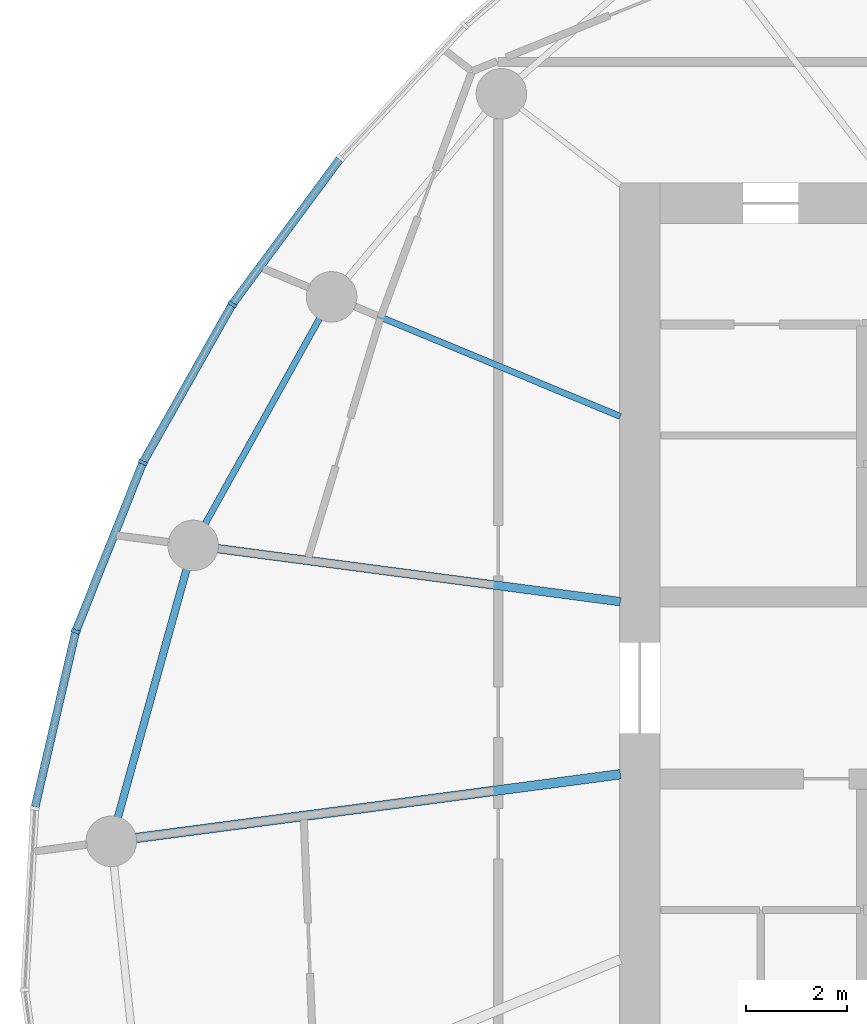
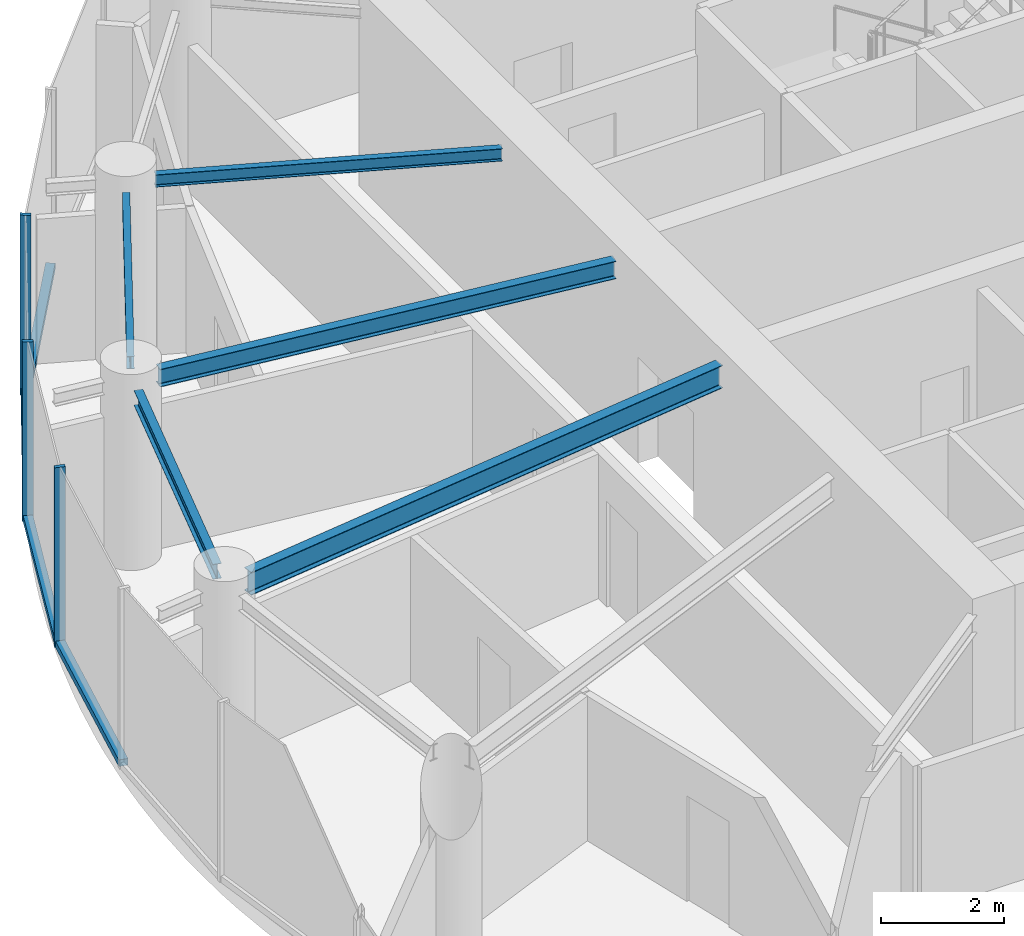
# One storey, part 3 of 19: 7 members, 5 beams, 1 element without a shape of its own.
"""IFC4 building model written with IfcOpenShell, lengths in metres."""

from ifc_helpers import new_model, si_unit, direction, frame, origin, origin_2d, place, context, subcontext, project, spatial, rectangle, i_section, extrude, source, transform, mapped, material, layer, layer_set, material_profile, profile_set, type_object, element, aggregate, save


model = new_model("IFC4")

# Units and contexts
model_context = context("Model", 3, precision=1e-05, world=origin(), true_north=direction((0.0, 1.0)))
body_context = subcontext(model_context, "Body", "Model", "MODEL_VIEW")
ifc_project = project(units=[si_unit("LENGTHUNIT", "METRE"), si_unit("AREAUNIT", "SQUARE_METRE"), si_unit("VOLUMEUNIT", "CUBIC_METRE"), si_unit("PLANEANGLEUNIT", "RADIAN"), si_unit("MASSUNIT", "GRAM", prefix="KILO")], contexts=[model_context])

# Site, building, storey
site_placement = place(None, origin())
site = spatial("IfcSite", under=ifc_project, at=site_placement, CompositionType="ELEMENT")
building_placement = place(site_placement, origin())
building = spatial("IfcBuilding", under=site, at=building_placement, Name="Spindrift Exchange Tower", CompositionType="ELEMENT")
storey_placement = place(building_placement, frame((0.0, 0.0, 137.0)))
storey = spatial("IfcBuildingStorey", under=building, at=storey_placement, Name="L32", CompositionType="ELEMENT", Elevation=137.0)

# Beams
ifc_material_1 = material(Name="Steel Grade 300", Category="steel")
ifc_material_profile_1 = material_profile(ifc_material_1, i_section(OverallWidth=0.18994140625, OverallDepth=0.4541015625, WebThickness=0.008544921875, FlangeThickness=0.0126953125, FilletRadius=0.013916015625, at=origin_2d()), Name="460UB67.1")
ifc_profile_set_1 = profile_set([ifc_material_profile_1], Name="Steel Grade 300")
beam_type_1 = type_object("IfcBeamType", Name="Floor Beam 460UB67.1 Steel Grade 300", PredefinedType="BEAM", material=ifc_profile_set_1)
shared_shape_1 = source(origin(), body_context, "Body", "SweptSolid", [
    extrude(i_section(OverallWidth=0.18994140625, OverallDepth=0.4541015625, WebThickness=0.008544921875, FlangeThickness=0.0126953125, FilletRadius=0.013916015625, at=origin_2d()), origin(), (0.0, 0.0, 1.0), 9.688720703125),
])
beam_1_placement = place(storey_placement, frame((39.019775390625, 46.291015625, 3.35302734375), z_axis=(-0.991448119245, -0.130501443846, 0.0), x_axis=(0.130501443846, -0.991448119245, 0.0)))
element("IfcBeam", 1, at=beam_1_placement, inside=storey, type_object=beam_type_1, Name="L32 radial beam R13A", PredefinedType="BEAM", context=body_context, shape_type="MappedRepresentation", body=[
    mapped(shared_shape_1, transform((0.0, 0.0, 0.0), scale=1.0)),
])
ifc_material_profile_2 = material_profile(ifc_material_1, i_section(OverallWidth=0.1240234375, OverallDepth=0.248046875, WebThickness=0.0048828125, FlangeThickness=0.008056640625, FilletRadius=0.011962890625, at=origin_2d()), Name="250UB25.7")
ifc_profile_set_2 = profile_set([ifc_material_profile_2], Name="Steel Grade 300")
beam_type_2 = type_object("IfcBeamType", Name="Floor Beam 250UB25.7 Steel Grade 300", PredefinedType="BEAM", material=ifc_profile_set_2)
shared_shape_2 = source(origin(), body_context, "Body", "SweptSolid", [
    extrude(i_section(OverallWidth=0.1240234375, OverallDepth=0.248046875, WebThickness=0.0048828125, FlangeThickness=0.008056640625, FilletRadius=0.011962890625, at=origin_2d()), origin(), (0.0, 0.0, 1.0), 5.708984375),
])
beam_2_placement = place(storey_placement, frame((39.0185546875, 53.377197265625, 3.4560546875), z_axis=(-0.923889659334, 0.382658983138, 0.0), x_axis=(-0.382658983138, -0.923889659334, 0.0)))
element("IfcBeam", 2, at=beam_2_placement, inside=storey, type_object=beam_type_2, Name="L32 radial beam R11A", PredefinedType="BEAM", context=body_context, shape_type="MappedRepresentation", body=[
    mapped(shared_shape_2, transform((0.0, 0.0, 0.0), scale=1.0)),
])
ifc_material_profile_3 = material_profile(ifc_material_1, i_section(OverallWidth=0.1708984375, OverallDepth=0.35205078125, WebThickness=0.0068359375, FlangeThickness=0.009765625, FilletRadius=0.013916015625, at=origin_2d()), Name="360UB44.7")
ifc_profile_set_3 = profile_set([ifc_material_profile_3], Name="Steel Grade 300")
beam_type_3 = type_object("IfcBeamType", Name="Floor Beam 360UB44.7 Steel Grade 300", PredefinedType="BEAM", material=ifc_profile_set_3)
shared_shape_3 = source(origin(), body_context, "Body", "SweptSolid", [
    extrude(i_section(OverallWidth=0.1708984375, OverallDepth=0.35205078125, WebThickness=0.0068359375, FlangeThickness=0.009765625, FilletRadius=0.013916015625, at=origin_2d()), origin(), (0.0, 0.0, 1.0), 8.0537109375),
])
beam_3_placement = place(storey_placement, frame((39.019775390625, 49.708984375, 3.404052734375), z_axis=(-0.991448103694, 0.130501561989, 0.0), x_axis=(-0.130501561989, -0.991448103694, 0.0)))
element("IfcBeam", 3, at=beam_3_placement, inside=storey, type_object=beam_type_3, Name="L32 radial beam R12A", PredefinedType="BEAM", context=body_context, shape_type="MappedRepresentation", body=[
    mapped(shared_shape_3, transform((0.0, 0.0, 0.0), scale=1.0)),
])
ifc_material_profile_4 = material_profile(ifc_material_1, i_section(OverallWidth=0.1240234375, OverallDepth=0.248046875, WebThickness=0.0048828125, FlangeThickness=0.008056640625, FilletRadius=0.011962890625, at=origin_2d()), Name="250UB25.7")
ifc_profile_set_4 = profile_set([ifc_material_profile_4], Name="Steel Grade 300")
beam_type_4 = type_object("IfcBeamType", Name="Edge Beam 250UB25.7 Steel Grade 300", PredefinedType="SPANDREL", material=ifc_profile_set_4)
shared_shape_4 = source(origin(), body_context, "Body", "SweptSolid", [
    extrude(i_section(OverallWidth=0.1240234375, OverallDepth=0.248046875, WebThickness=0.0048828125, FlangeThickness=0.008056640625, FilletRadius=0.011962890625, at=origin_2d()), origin(), (0.0, 0.0, 1.0), 4.6748046875),
])
beam_4_placement = place(storey_placement, frame((33.067138671875, 55.326171875, 3.4560546875), z_axis=(-0.486587145143, -0.873632045075, 0.0), x_axis=(0.873632045075, -0.486587145143, 0.0)))
element("IfcBeam", 4, at=beam_4_placement, inside=storey, type_object=beam_type_4, Name="L32 edge beam E11", PredefinedType="SPANDREL", context=body_context, shape_type="MappedRepresentation", body=[
    mapped(shared_shape_4, transform((0.0, 0.0, 0.0), scale=1.0)),
])
ifc_material_profile_5 = material_profile(ifc_material_1, i_section(OverallWidth=0.14892578125, OverallDepth=0.298095703125, WebThickness=0.005615234375, FlangeThickness=0.008056640625, FilletRadius=0.012939453125, at=origin_2d()), Name="310UB32.0")
ifc_profile_set_5 = profile_set([ifc_material_profile_5], Name="Steel Grade 300")
beam_type_5 = type_object("IfcBeamType", Name="Edge Beam 310UB32.0 Steel Grade 300", PredefinedType="SPANDREL", material=ifc_profile_set_5)
shared_shape_5 = source(origin(), body_context, "Body", "SweptSolid", [
    extrude(i_section(OverallWidth=0.14892578125, OverallDepth=0.298095703125, WebThickness=0.005615234375, FlangeThickness=0.008056640625, FilletRadius=0.012939453125, at=origin_2d()), origin(), (0.0, 0.0, 1.0), 5.118896484375),
])
beam_5_placement = place(storey_placement, frame((30.430908203125, 50.360107421875, 3.430908203125), z_axis=(-0.266654866605, -0.963792084485, 0.0), x_axis=(0.963792084485, -0.266654866605, 0.0)))
element("IfcBeam", 5, at=beam_5_placement, inside=storey, type_object=beam_type_5, Name="L32 edge beam E12", PredefinedType="SPANDREL", context=body_context, shape_type="MappedRepresentation", body=[
    mapped(shared_shape_5, transform((0.0, 0.0, 0.0), scale=1.0)),
])

# Curtain wall, members
ifc_material_2 = material(Name="Fritted laminated glass with bronze frame", Category="glass")
ifc_layer = layer(ifc_material_2, 0.179931640625)
ifc_layer_set = layer_set([ifc_layer], Name="ZONE 3 BRONZE FRITTED WALL")
curtain_wall_type = type_object("IfcCurtainWallType", Name="ZONE 3 BRONZE FRITTED WALL", PredefinedType="NOTDEFINED", material=ifc_layer_set)
curtain_wall_placement = place(storey_placement, origin())
curtain_wall = element("IfcCurtainWall", 6, at=curtain_wall_placement, inside=storey, type_object=curtain_wall_type, Name="L32 Zone 3 Bronze Fritted Wall run 2", PredefinedType="NOTDEFINED")
ifc_material_3 = material(Name="Bronze anodised aluminium", Category="aluminium")
ifc_material_profile_6 = material_profile(ifc_material_3, rectangle(XDim=0.159912109375, YDim=0.1298828125, at=origin_2d()), Name="ZONE 3 BRONZE FRITTED WALL TRANSOM 160X130")
ifc_profile_set_6 = profile_set([ifc_material_profile_6], Name="Bronze anodised aluminium")
member_type_1 = type_object("IfcMemberType", Name="ZONE 3 BRONZE FRITTED WALL TRANSOM 160X130", PredefinedType="USERDEFINED", material=ifc_profile_set_6)
shared_shape_6 = source(origin(), body_context, "Body", "SweptSolid", [
    extrude(rectangle(XDim=0.159912109375, YDim=0.1298828125, at=origin_2d()), origin(), (0.0, 0.0, 1.0), 3.52880859375),
])
member_1_placement = place(storey_placement, frame((28.22509765625, 49.085205078125, 0.06494140625), z_axis=(-0.225339507376, -0.974280301769, 0.0), x_axis=(0.974280301769, -0.225339507376, 0.0)))
member_1 = element("IfcMember", 7, at=member_1_placement, type_object=member_type_1, Name="L32 transom CW-3.10", ObjectType="TRANSOM", PredefinedType="USERDEFINED", context=body_context, shape_type="MappedRepresentation", body=[
    mapped(shared_shape_6, transform((0.0, 0.0, 0.0), scale=1.0)),
])
shared_shape_7 = source(origin(), body_context, "Body", "SweptSolid", [
    extrude(rectangle(XDim=0.159912109375, YDim=0.1298828125, at=origin_2d()), origin(), (0.0, 0.0, 1.0), 3.530517578125),
])
member_2_placement = place(storey_placement, frame((33.45458984375, 58.46484375, 0.06494140625), z_axis=(-0.594853729517, -0.803833963253, 0.0), x_axis=(0.803833963253, -0.594853729517, 0.0)))
member_2 = element("IfcMember", 8, at=member_2_placement, type_object=member_type_1, Name="L32 transom CW-3.7", ObjectType="TRANSOM", PredefinedType="USERDEFINED", context=body_context, shape_type="MappedRepresentation", body=[
    mapped(shared_shape_7, transform((0.0, 0.0, 0.0), scale=1.0)),
])
ifc_material_profile_7 = material_profile(ifc_material_3, rectangle(XDim=0.070068359375, YDim=0.179931640625, at=origin_2d()), Name="ZONE 3 BRONZE FRITTED WALL MULLION 70X180")
ifc_profile_set_7 = profile_set([ifc_material_profile_7], Name="Bronze anodised aluminium")
member_type_2 = type_object("IfcMemberType", Name="ZONE 3 BRONZE FRITTED WALL MULLION 70X180", PredefinedType="MULLION", material=ifc_profile_set_7)
shared_shape_8 = source(origin(), body_context, "Body", "SweptSolid", [
    extrude(rectangle(XDim=0.070068359375, YDim=0.179931640625, at=origin_2d()), origin(), (0.0, 0.0, 1.0), 3.580078125),
])
member_3_placement = place(storey_placement, frame((31.33349609375, 55.598876953125, 0.0), z_axis=(0.0, 0.0, 1.0), x_axis=(-0.544286584562, -0.838899346683, 0.0)))
member_3 = element("IfcMember", 9, at=member_3_placement, type_object=member_type_2, Name="L32 mullion CW-3.8", PredefinedType="MULLION", context=body_context, shape_type="MappedRepresentation", body=[
    mapped(shared_shape_8, transform((0.0, 0.0, 0.0), scale=1.0)),
])
member_4_placement = place(storey_placement, frame((29.563720703125, 52.4638671875, 0.0), z_axis=(0.0, 0.0, 1.0), x_axis=(-0.431661047584, -0.902035886203, 0.0)))
member_4 = element("IfcMember", 10, at=member_4_placement, type_object=member_type_2, Name="L32 mullion CW-3.9", PredefinedType="MULLION", context=body_context, shape_type="MappedRepresentation", body=[
    mapped(shared_shape_8, transform((0.0, 0.0, 0.0), scale=1.0)),
])
member_5_placement = place(storey_placement, frame((28.23291015625, 49.119384765625, 0.0), z_axis=(0.0, 0.0, 1.0), x_axis=(-0.298363372081, -0.954452355123, 0.0)))
member_5 = element("IfcMember", 11, at=member_5_placement, type_object=member_type_2, Name="L32 mullion CW-3.10", PredefinedType="MULLION", context=body_context, shape_type="MappedRepresentation", body=[
    mapped(shared_shape_8, transform((0.0, 0.0, 0.0), scale=1.0)),
])
shared_shape_9 = source(origin(), body_context, "Body", "SweptSolid", [
    extrude(rectangle(XDim=0.159912109375, YDim=0.1298828125, at=origin_2d()), origin(), (0.0, 0.0, 1.0), 3.530029296875),
])
member_6_placement = place(storey_placement, frame((31.31640625, 55.568359375, 0.06494140625), z_axis=(-0.491656117972, -0.870789447375, 0.0), x_axis=(0.870789447375, -0.491656117972, 0.0)))
member_6 = element("IfcMember", 12, at=member_6_placement, type_object=member_type_1, Name="L32 transom CW-3.8", ObjectType="TRANSOM", PredefinedType="USERDEFINED", context=body_context, shape_type="MappedRepresentation", body=[
    mapped(shared_shape_9, transform((0.0, 0.0, 0.0), scale=1.0)),
])
shared_shape_10 = source(origin(), body_context, "Body", "SweptSolid", [
    extrude(rectangle(XDim=0.159912109375, YDim=0.1298828125, at=origin_2d()), origin(), (0.0, 0.0, 1.0), 3.529541015625),
])
member_7_placement = place(storey_placement, frame((29.55078125, 52.431396484375, 0.06494140625), z_axis=(-0.369708543959, -0.929147777549, 0.0), x_axis=(0.929147777549, -0.369708543959, 0.0)))
member_7 = element("IfcMember", 13, at=member_7_placement, type_object=member_type_1, Name="L32 transom CW-3.9", ObjectType="TRANSOM", PredefinedType="USERDEFINED", context=body_context, shape_type="MappedRepresentation", body=[
    mapped(shared_shape_10, transform((0.0, 0.0, 0.0), scale=1.0)),
])
aggregate(curtain_wall, [member_2, member_3, member_6, member_4, member_7, member_5, member_1])

save(model, "model.ifc")
